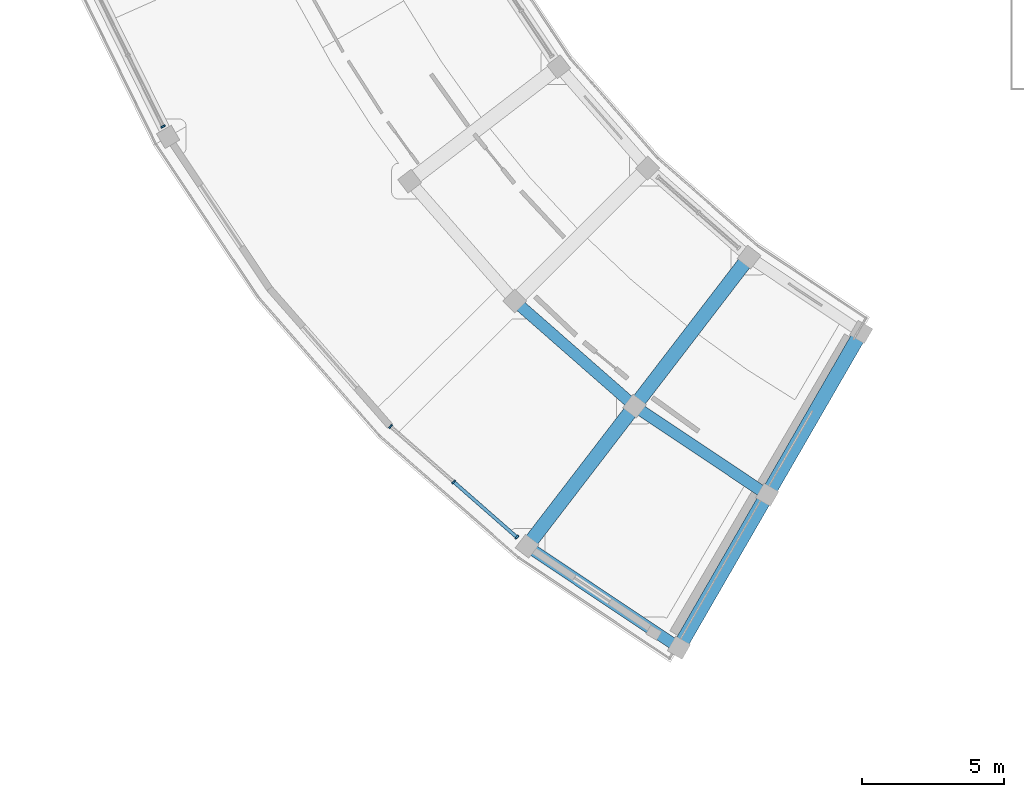
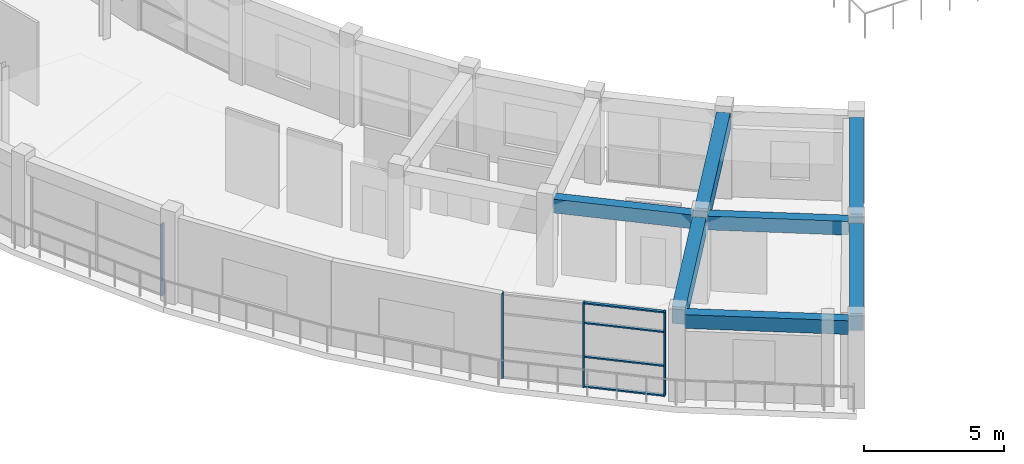
# One storey, part 12 of 72: 8 members, 7 beams, 2 elements without a shape of their own.
"""IFC4 building model written with IfcOpenShell, lengths in metres."""

import ifcopenshell
import ifcopenshell.guid

model = None  # the IFC model being written
_history = None  # IfcOwnerHistory: only IFC2X3 demands one
_inside = {}  # id of a spatial element -> (the spatial element, [elements in it])
_under = {}  # id of a project, library or spatial element -> (it, [spatial elements below it])
_declared = {}  # id of a project -> (the project, [libraries it declares])
_typed = {}  # id of a type object -> (the type object, [elements of that type])
_made_of = {}  # id of a material, layer set ... -> (it, [elements and type objects made of it])


def new_model(schema):
    """Start an empty IFC model of exactly this schema.

    Asked for "IFC4X3", IfcOpenShell would pick the latest addendum, in which some entities
    have other attributes; the version numbers below select the first issue.
    IFC2X3 requires an IfcOwnerHistory on every rooted entity: one is made here for all.
    """
    global model, _history
    if schema == "IFC4X3":
        model = ifcopenshell.file(schema_version=(4, 3, 0, 0))
    else:
        model = ifcopenshell.file(schema=schema)
    _inside.clear()
    _under.clear()
    _declared.clear()
    _typed.clear()
    _made_of.clear()
    _history = None
    if model.schema == "IFC2X3":
        org = make("IfcOrganization", Name="unknown")
        user = make(
            "IfcPersonAndOrganization",
            ThePerson=make("IfcPerson", FamilyName="unknown"),
            TheOrganization=org,
        )
        app = make(
            "IfcApplication",
            ApplicationDeveloper=org,
            Version="unknown",
            ApplicationFullName="unknown",
            ApplicationIdentifier="unknown",
        )
        _history = make(
            "IfcOwnerHistory",
            OwningUser=user,
            OwningApplication=app,
            ChangeAction="ADDED",
            CreationDate=0,
        )
    return model


def make(cls, **values):
    """One entity of the class cls with the attributes given. An attribute that is None is left unset."""
    return model.create_entity(
        cls, **{name: value for name, value in values.items() if value is not None}
    )


def rooted(cls, **values):
    """An entity with a GlobalId (a new one), such as an element, a storey or a relation."""
    return make(cls, GlobalId=ifcopenshell.guid.new(), OwnerHistory=_history, **values)


def si_unit(unit_type, name, prefix=None):
    """IfcSIUnit, for example si_unit("LENGTHUNIT", "METRE", prefix="MILLI")."""
    return make("IfcSIUnit", UnitType=unit_type, Prefix=prefix, Name=name)


def assignment(units):
    """IfcUnitAssignment: the units of a project."""
    return None if units is None else make("IfcUnitAssignment", Units=units)


def point(xyz):
    """IfcCartesianPoint."""
    return None if xyz is None else make("IfcCartesianPoint", Coordinates=xyz)


def direction(xyz):
    """IfcDirection."""
    return None if xyz is None else make("IfcDirection", DirectionRatios=xyz)


def frame(location, z_axis=None, x_axis=None):
    """IfcAxis2Placement3D, a coordinate frame: its origin and axes. An axis left out is left unset."""
    return make(
        "IfcAxis2Placement3D",
        Location=point(location),
        Axis=direction(z_axis),
        RefDirection=direction(x_axis),
    )


def frame_2d(location, x_axis=None):
    """IfcAxis2Placement2D, a coordinate frame in the plane: its origin and x axis."""
    return make(
        "IfcAxis2Placement2D", Location=point(location), RefDirection=direction(x_axis)
    )


def origin():
    """The frame at (0, 0, 0) with its axes left unset."""
    return frame((0.0, 0.0, 0.0))


def origin_2d():
    """The frame at (0, 0) in the plane with its x axis left unset."""
    return frame_2d((0.0, 0.0))


def place(relative_to, where):
    """IfcLocalPlacement: puts the frame where relative to a parent placement (None: the world)."""
    return make(
        "IfcLocalPlacement", PlacementRelTo=relative_to, RelativePlacement=where
    )


def context(
    kind, dimensions, precision=None, world=None, true_north=None, identifier=None
):
    """IfcGeometricRepresentationContext, for example the 3D "Model" context."""
    return make(
        "IfcGeometricRepresentationContext",
        ContextIdentifier=identifier,
        ContextType=kind,
        CoordinateSpaceDimension=dimensions,
        Precision=precision,
        WorldCoordinateSystem=world,
        TrueNorth=true_north,
    )


def subcontext(parent, identifier, kind, view, scale=None):
    """IfcGeometricRepresentationSubContext, for example "Body" below "Model"."""
    return make(
        "IfcGeometricRepresentationSubContext",
        ContextIdentifier=identifier,
        ContextType=kind,
        ParentContext=parent,
        TargetScale=scale,
        TargetView=view,
    )


def project(units=None, contexts=None):
    """IfcProject with its units and contexts."""
    return rooted(
        "IfcProject",
        Name="project",
        RepresentationContexts=contexts,
        UnitsInContext=assignment(units),
    )


def spatial(cls, under=None, at=None, **own):
    """A site, building, storey or space (cls), placed at a placement, below another one or the project."""
    s = rooted(cls, ObjectPlacement=at, **own)
    if under is not None:
        _under.setdefault(under.id(), (under, []))[1].append(s)
    return s


def profile(cls, at=None, kind="AREA", **sizes):
    """A parametric profile (cls). Its sizes go by their IFC names, for example OverallWidth=200.0."""
    return make(cls, ProfileType=kind, Position=at, **sizes)


def rectangle(**sizes):
    """IfcRectangleProfileDef."""
    return profile("IfcRectangleProfileDef", **sizes)


def extrude(swept, where, along, depth):
    """IfcExtrudedAreaSolid: the profile swept, set in the frame where, extruded along a direction by depth."""
    return make(
        "IfcExtrudedAreaSolid",
        SweptArea=swept,
        Position=where,
        ExtrudedDirection=direction(along),
        Depth=depth,
    )


def shape(context_of_items, identifier, shape_type, items):
    """IfcShapeRepresentation: the items that make up one representation, for example the "Body"."""
    return make(
        "IfcShapeRepresentation",
        ContextOfItems=context_of_items,
        RepresentationIdentifier=identifier,
        RepresentationType=shape_type,
        Items=items,
    )


def material(Name=None, Category=None):
    """IfcMaterial."""
    return make("IfcMaterial", Name=Name, Category=Category)


def material_profile(
    of_material, cross_section, Name=None, Category=None, Priority=None
):
    """IfcMaterialProfile: a cross section and its material."""
    return make(
        "IfcMaterialProfile",
        Name=Name,
        Material=of_material,
        Profile=cross_section,
        Priority=Priority,
        Category=Category,
    )


def profile_set(profiles, Name=None, composite=None):
    """IfcMaterialProfileSet."""
    return make(
        "IfcMaterialProfileSet",
        Name=Name,
        MaterialProfiles=profiles,
        CompositeProfile=composite,
    )


def made_of(thing, what):
    """Note that an element or type object is made of a material, layer set ...; save() writes the relation."""
    if what is not None:
        _made_of.setdefault(what.id(), (what, []))[1].append(thing)
    return thing


def type_object(cls, material=None, **own):
    """A type object (cls), such as IfcWallType, which elements share."""
    return made_of(rooted(cls, **own), material)


def element(
    cls,
    number,
    at=None,
    inside=None,
    cuts=None,
    type_object=None,
    material=None,
    context=None,
    identifier="Body",
    shape_type=None,
    held_by="IfcProductDefinitionShape",
    body=None,
    shapes=None,
    **own,
):
    """One element of the class cls, such as IfcWall. Its Tag is "e" and its number.

    at: its placement. inside: the storey or other place that contains it. cuts: it is an
    opening in that element (IfcRelVoidsElement). A single representation is given by context,
    identifier, shape_type and body (its items); several are given by shapes. held_by: the class
    of the entity that holds the representations. save() writes the other relations.
    """
    e = rooted(cls, Tag="e%d" % number, ObjectPlacement=at, **own)
    if body is not None:
        shapes = [shape(context, identifier, shape_type, body)]
    if shapes is not None:
        e.Representation = make(held_by, Representations=shapes)
    if inside is not None:
        _inside.setdefault(inside.id(), (inside, []))[1].append(e)
    if cuts is not None:
        rooted(
            "IfcRelVoidsElement", RelatingBuildingElement=cuts, RelatedOpeningElement=e
        )
    if type_object is not None:
        _typed.setdefault(type_object.id(), (type_object, []))[1].append(e)
    return made_of(e, material)


def aggregate(whole, parts):
    """IfcRelAggregates: a whole, such as a stair, and the parts it consists of."""
    return rooted("IfcRelAggregates", RelatingObject=whole, RelatedObjects=parts)


def save(model, path):
    """Write the relations noted so far, then the file.

    IfcRelAggregates (storeys below a building ...), IfcRelContainedInSpatialStructure (elements
    in a storey), IfcRelDefinesByType, IfcRelAssociatesMaterial and IfcRelDeclares: one each for
    every whole, place, type object, material and project.
    """
    for whole, parts in _under.values():
        aggregate(whole, parts)
    for where, things in _inside.values():
        rooted(
            "IfcRelContainedInSpatialStructure",
            RelatedElements=things,
            RelatingStructure=where,
        )
    for kind, things in _typed.values():
        rooted("IfcRelDefinesByType", RelatedObjects=things, RelatingType=kind)
    for what, things in _made_of.values():
        rooted("IfcRelAssociatesMaterial", RelatedObjects=things, RelatingMaterial=what)
    for by, libraries in _declared.values():
        rooted("IfcRelDeclares", RelatingContext=by, RelatedDefinitions=libraries)
    model.write(path)


model = new_model("IFC4")

# Units and contexts
model_context = context("Model", 3, precision=1e-05, world=origin(), true_north=direction((0.0, 1.0)))
body_context = subcontext(model_context, "Body", "Model", "MODEL_VIEW")
ifc_project = project(units=[si_unit("LENGTHUNIT", "METRE"), si_unit("AREAUNIT", "SQUARE_METRE"), si_unit("VOLUMEUNIT", "CUBIC_METRE"), si_unit("PLANEANGLEUNIT", "RADIAN"), si_unit("MASSUNIT", "GRAM", prefix="KILO")], contexts=[model_context])

# Site, building, storey
site_placement = place(None, origin())
site = spatial("IfcSite", under=ifc_project, at=site_placement, CompositionType="ELEMENT")
building_placement = place(site_placement, origin())
building = spatial("IfcBuilding", under=site, at=building_placement, Name="Saryqyr Civic Hall", CompositionType="ELEMENT")
storey_placement = place(building_placement, frame((0.0, 0.0, 17.25)))
storey = spatial("IfcBuildingStorey", under=building, at=storey_placement, Name="L04", CompositionType="ELEMENT", Elevation=17.25)

# Curtain wall, member
ifc_material_1 = material(Name="Anodised aluminium and triple low-E glass", Category="aluminium")
curtain_wall_type_1 = type_object("IfcCurtainWallType", Name="ENV-CW-STD-14", PredefinedType="NOTDEFINED", material=ifc_material_1)
curtain_wall_1_placement = place(storey_placement, origin())
curtain_wall_1 = element("IfcCurtainWall", 1, at=curtain_wall_1_placement, inside=storey, type_object=curtain_wall_type_1, Name="Curtain wall V4-CWO-L04-05", PredefinedType="NOTDEFINED")
ifc_material_2 = material(Name="Anodised aluminium", Category="aluminium")
ifc_material_profile_1 = material_profile(ifc_material_2, rectangle(XDim=0.06005859375, YDim=0.159912109375, at=origin_2d()), Name="ALU MULLION 60x160")
ifc_profile_set_1 = profile_set([ifc_material_profile_1], Name="Anodised aluminium")
member_type_1 = type_object("IfcMemberType", Name="ENV-CW-MUL-180", PredefinedType="MULLION", material=ifc_profile_set_1)
member_1_placement = place(storey_placement, frame((14.3837890625, 59.866943359375, 0.0), z_axis=(0.0, 0.0, 1.0), x_axis=(-0.442287609634, 0.896873274417, 0.0)))
member_1 = element("IfcMember", 2, at=member_1_placement, type_object=member_type_1, Name="CW-14 mullion 1", PredefinedType="MULLION", context=body_context, shape_type="SweptSolid", body=[
    extrude(rectangle(XDim=0.06005859375, YDim=0.159912109375, at=origin_2d()), origin(), (0.0, 0.0, 1.0), 3.135009765625),
])
aggregate(curtain_wall_1, [member_1])

# Curtain wall, members
curtain_wall_type_2 = type_object("IfcCurtainWallType", Name="ENV-CW-STD-29", PredefinedType="NOTDEFINED", material=ifc_material_1)
curtain_wall_2_placement = place(storey_placement, origin())
curtain_wall_2 = element("IfcCurtainWall", 3, at=curtain_wall_2_placement, inside=storey, type_object=curtain_wall_type_2, Name="Curtain wall V4-CWO-L04-08", PredefinedType="NOTDEFINED")
member_2_placement = place(storey_placement, frame((26.80810546875, 45.443603515625, 0.0), z_axis=(0.0, 0.0, 1.0), x_axis=(-0.751838965364, 0.659346775347, 0.0)))
member_2 = element("IfcMember", 4, at=member_2_placement, type_object=member_type_1, Name="CW-29 mullion 1", PredefinedType="MULLION", context=body_context, shape_type="SweptSolid", body=[
    extrude(rectangle(XDim=0.06005859375, YDim=0.159912109375, at=origin_2d()), origin(), (0.0, 0.0, 1.0), 3.699951171875),
])
member_3_placement = place(storey_placement, frame((24.59130859375, 47.387939453125, 0.0), z_axis=(0.0, 0.0, 1.0), x_axis=(-0.751838965364, 0.659346775347, 0.0)))
member_3 = element("IfcMember", 5, at=member_3_placement, type_object=member_type_1, Name="CW-29 mullion 2", PredefinedType="MULLION", context=body_context, shape_type="SweptSolid", body=[
    extrude(rectangle(XDim=0.06005859375, YDim=0.159912109375, at=origin_2d()), origin(), (0.0, 0.0, 1.0), 3.699951171875),
])
member_4_placement = place(storey_placement, frame((22.374267578125, 49.33203125, 0.0), z_axis=(0.0, 0.0, 1.0), x_axis=(-0.751838965364, 0.659346775347, 0.0)))
member_4 = element("IfcMember", 6, at=member_4_placement, type_object=member_type_1, Name="CW-29 mullion 3", PredefinedType="MULLION", context=body_context, shape_type="SweptSolid", body=[
    extrude(rectangle(XDim=0.06005859375, YDim=0.159912109375, at=origin_2d()), origin(), (0.0, 0.0, 1.0), 3.699951171875),
])
ifc_material_profile_2 = material_profile(ifc_material_2, rectangle(XDim=0.1201171875, YDim=0.06005859375, at=origin_2d()), Name="ALU TRANSOM 120x60")
ifc_profile_set_2 = profile_set([ifc_material_profile_2], Name="Anodised aluminium")
member_type_2 = type_object("IfcMemberType", Name="ENV-CW-TRN-150", PredefinedType="USERDEFINED", material=ifc_profile_set_2)
member_5_placement = place(storey_placement, frame((26.78564453125, 45.46337890625, 0.030029296875), z_axis=(-0.751822320989, 0.659365754087, 0.0), x_axis=(-0.659365754087, -0.751822320989, 0.0)))
member_5 = element("IfcMember", 7, at=member_5_placement, type_object=member_type_2, Name="CW-29 transom 1.1", ObjectType="TRANSOM", PredefinedType="USERDEFINED", context=body_context, shape_type="SweptSolid", body=[
    extrude(rectangle(XDim=0.1201171875, YDim=0.06005859375, at=origin_2d()), origin(), (0.0, 0.0, 1.0), 2.888916015625),
])
member_6_placement = place(storey_placement, frame((26.78564453125, 45.46337890625, 1.33203125), z_axis=(-0.751822320989, 0.659365754087, 0.0), x_axis=(-0.659365754087, -0.751822320989, 0.0)))
member_6 = element("IfcMember", 8, at=member_6_placement, type_object=member_type_2, Name="CW-29 transom 1.2", ObjectType="TRANSOM", PredefinedType="USERDEFINED", context=body_context, shape_type="SweptSolid", body=[
    extrude(rectangle(XDim=0.1201171875, YDim=0.06005859375, at=origin_2d()), origin(), (0.0, 0.0, 1.0), 2.888916015625),
])
member_7_placement = place(storey_placement, frame((26.78564453125, 45.46337890625, 2.81201171875), z_axis=(-0.751822320989, 0.659365754087, 0.0), x_axis=(-0.659365754087, -0.751822320989, 0.0)))
member_7 = element("IfcMember", 9, at=member_7_placement, type_object=member_type_2, Name="CW-29 transom 1.3", ObjectType="TRANSOM", PredefinedType="USERDEFINED", context=body_context, shape_type="SweptSolid", body=[
    extrude(rectangle(XDim=0.1201171875, YDim=0.06005859375, at=origin_2d()), origin(), (0.0, 0.0, 1.0), 2.888916015625),
])
member_8_placement = place(storey_placement, frame((26.78564453125, 45.46337890625, 3.669921875), z_axis=(-0.751822320989, 0.659365754087, 0.0), x_axis=(-0.659365754087, -0.751822320989, 0.0)))
member_8 = element("IfcMember", 10, at=member_8_placement, type_object=member_type_2, Name="CW-29 transom 1.4", ObjectType="TRANSOM", PredefinedType="USERDEFINED", context=body_context, shape_type="SweptSolid", body=[
    extrude(rectangle(XDim=0.1201171875, YDim=0.06005859375, at=origin_2d()), origin(), (0.0, 0.0, 1.0), 2.888916015625),
])
aggregate(curtain_wall_2, [member_2, member_3, member_4, member_5, member_6, member_7, member_8])

# Beams
ifc_material_3 = material(Name="Concrete C35/45", Category="concrete")
ifc_material_profile_3 = material_profile(ifc_material_3, rectangle(XDim=0.39990234375, YDim=0.60009765625, at=origin_2d()), Name="RC 400x600")
ifc_profile_set_3 = profile_set([ifc_material_profile_3], Name="Concrete C35/45")
beam_type_1 = type_object("IfcBeamType", Name="STR-BM-RC400x600", PredefinedType="BEAM", material=ifc_profile_set_3)
beam_1_placement = place(storey_placement, frame((26.942626953125, 53.554443359375, 3.4599609375), z_axis=(0.751848271564, -0.659336163536, 0.0), x_axis=(0.659336163536, 0.751848271564, 0.0)))
element("IfcBeam", 11, at=beam_1_placement, inside=storey, type_object=beam_type_1, Name="Beam V4-CBM-MID08-L04", PredefinedType="BEAM", context=body_context, shape_type="SweptSolid", body=[
    extrude(rectangle(XDim=0.39990234375, YDim=0.60009765625, at=origin_2d()), origin(), (0.0, 0.0, 1.0), 5.04833984375),
])
beam_2_placement = place(storey_placement, frame((31.173583984375, 49.8916015625, 3.4599609375), z_axis=(0.831484433902, -0.555548050289, 0.0), x_axis=(0.555548050289, 0.831484433902, 0.0)))
element("IfcBeam", 12, at=beam_2_placement, inside=storey, type_object=beam_type_1, Name="Beam V4-CBM-MID09-L04", PredefinedType="BEAM", context=body_context, shape_type="SweptSolid", body=[
    extrude(rectangle(XDim=0.39990234375, YDim=0.60009765625, at=origin_2d()), origin(), (0.0, 0.0, 1.0), 5.048583984375),
])
ifc_material_profile_4 = material_profile(ifc_material_3, rectangle(XDim=0.39990234375, YDim=0.60009765625, at=origin_2d()), Name="RC 400x600")
ifc_profile_set_4 = profile_set([ifc_material_profile_4], Name="Concrete C35/45")
beam_type_2 = type_object("IfcBeamType", Name="STR-BM-RC400x600-EXT", PredefinedType="BEAM", material=ifc_profile_set_4)
beam_3_placement = place(storey_placement, frame((27.3994140625, 44.972900390625, 3.4599609375), z_axis=(0.831460079257, -0.555584499966, 0.0), x_axis=(0.555584499966, 0.831460079257, 0.0)))
element("IfcBeam", 13, at=beam_3_placement, inside=storey, type_object=beam_type_2, Name="Beam V4-CBM-OUT09-L04", PredefinedType="BEAM", context=body_context, shape_type="SweptSolid", body=[
    extrude(rectangle(XDim=0.39990234375, YDim=0.60009765625, at=origin_2d()), origin(), (0.0, 0.0, 1.0), 5.859375),
])
ifc_material_4 = material(Name="Concrete C40/50", Category="concrete")
ifc_material_profile_5 = material_profile(ifc_material_4, rectangle(XDim=0.5, YDim=0.75, at=origin_2d()), Name="RC 500x750")
ifc_profile_set_5 = profile_set([ifc_material_profile_5], Name="Concrete C40/50")
beam_type_3 = type_object("IfcBeamType", Name="STR-BM-RC500x750", PredefinedType="BEAM", material=ifc_profile_set_5)
beam_4_placement = place(storey_placement, frame((34.79541015625, 55.0625, 3.385009765625), z_axis=(-0.608770354513, -0.793346491431, 0.0), x_axis=(0.793346491431, -0.608770354513, 0.0)))
element("IfcBeam", 14, at=beam_4_placement, inside=storey, type_object=beam_type_3, Name="Beam V4-RBM-A09-L04", PredefinedType="BEAM", context=body_context, shape_type="SweptSolid", body=[
    extrude(rectangle(XDim=0.5, YDim=0.75, at=origin_2d()), origin(), (0.0, 0.0, 1.0), 6.050048828125),
])
beam_5_placement = place(storey_placement, frame((30.777587890625, 49.826416015625, 3.385009765625), z_axis=(-0.608758070133, -0.793355917636, 0.0), x_axis=(0.793355917636, -0.608758070133, 0.0)))
element("IfcBeam", 15, at=beam_5_placement, inside=storey, type_object=beam_type_3, Name="Beam V4-RBM-B09-L04", PredefinedType="BEAM", context=body_context, shape_type="SweptSolid", body=[
    extrude(rectangle(XDim=0.5, YDim=0.75, at=origin_2d()), origin(), (0.0, 0.0, 1.0), 5.64990234375),
])
beam_6_placement = place(storey_placement, frame((38.762451171875, 52.41162109375, 3.385009765625), z_axis=(-0.500001913541, -0.866024298998, 0.0), x_axis=(0.866024298998, -0.500001913541, 0.0)))
element("IfcBeam", 16, at=beam_6_placement, inside=storey, type_object=beam_type_3, Name="Beam V4-RBM-A10-L04", PredefinedType="BEAM", context=body_context, shape_type="SweptSolid", body=[
    extrude(rectangle(XDim=0.5, YDim=0.75, at=origin_2d()), origin(), (0.0, 0.0, 1.0), 6.0498046875),
])
beam_7_placement = place(storey_placement, frame((35.46240234375, 46.69580078125, 3.385009765625), z_axis=(-0.500010476433, -0.866019355129, 0.0), x_axis=(0.866019355129, -0.500010476433, 0.0)))
element("IfcBeam", 17, at=beam_7_placement, inside=storey, type_object=beam_type_3, Name="Beam V4-RBM-B10-L04", PredefinedType="BEAM", context=body_context, shape_type="SweptSolid", body=[
    extrude(rectangle(XDim=0.5, YDim=0.75, at=origin_2d()), origin(), (0.0, 0.0, 1.0), 5.64990234375),
])

save(model, "model.ifc")
